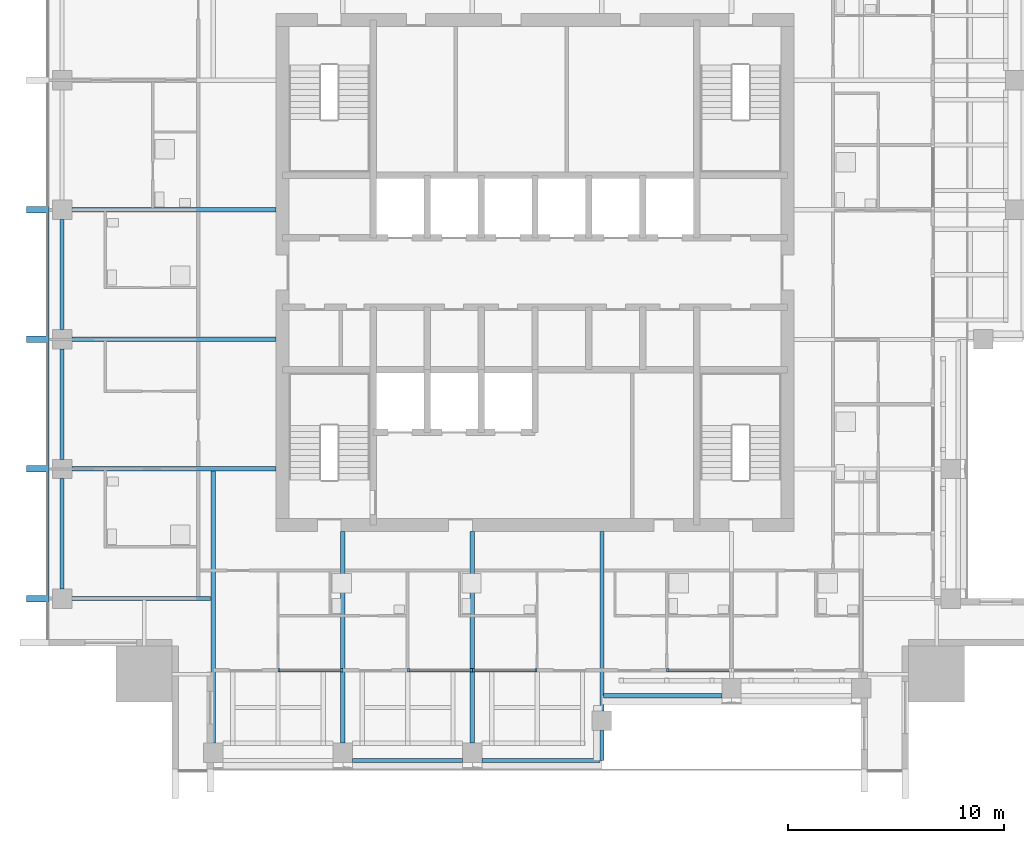
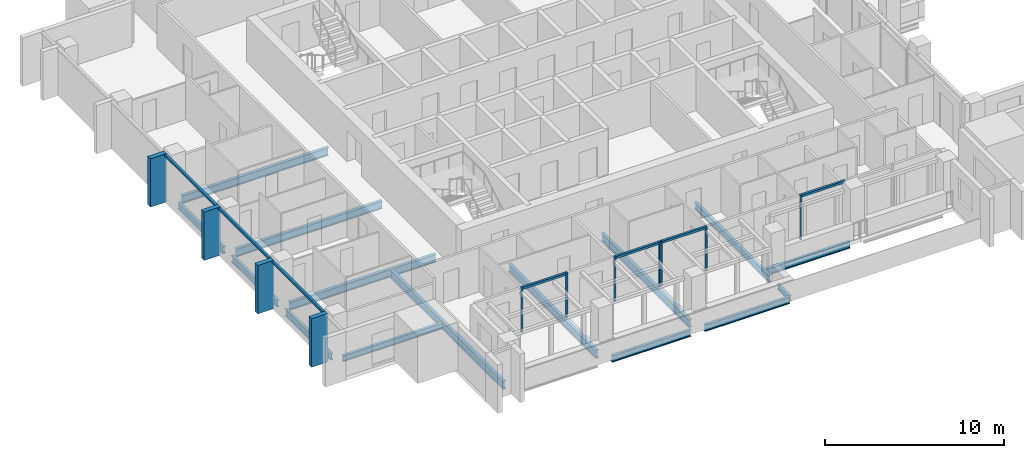
# One storey, part 2 of 17: 18 members, 15 beams, 5 elements without a shape of their own.
"""IFC4 building model written with IfcOpenShell, lengths in metres."""

from ifc_helpers import new_model, si_unit, direction, frame, origin, origin_2d, place, context, subcontext, project, spatial, rectangle, i_section, extrude, material, material_profile, profile_set, type_object, element, aggregate, save


model = new_model("IFC4")

# Units and contexts
model_context = context("Model", 3, precision=1e-05, world=origin(), true_north=direction((0.0, 1.0)))
body_context = subcontext(model_context, "Body", "Model", "MODEL_VIEW")
ifc_project = project(units=[si_unit("LENGTHUNIT", "METRE"), si_unit("AREAUNIT", "SQUARE_METRE"), si_unit("VOLUMEUNIT", "CUBIC_METRE"), si_unit("PLANEANGLEUNIT", "RADIAN"), si_unit("MASSUNIT", "GRAM", prefix="KILO")], contexts=[model_context])

# Site, building, storey
site_placement = place(None, origin())
site = spatial("IfcSite", under=ifc_project, at=site_placement, CompositionType="ELEMENT")
building_placement = place(site_placement, origin())
building = spatial("IfcBuilding", under=site, at=building_placement, Name="Amberfall Residences", CompositionType="ELEMENT")
storey_placement = place(building_placement, frame((0.0, 0.0, 216.699951171875)))
storey = spatial("IfcBuildingStorey", under=building, at=storey_placement, Name="L58", CompositionType="ELEMENT", Elevation=216.699951171875)

# Curtain wall, members
ifc_material_1 = material(Name="Bronze anodised aluminium and glass", Category="aluminium")
curtain_wall_type_1 = type_object("IfcCurtainWallType", Name="Curtain wall CW1 tower unit", PredefinedType="USERDEFINED", material=ifc_material_1)
curtain_wall_1_placement = place(storey_placement, origin())
curtain_wall_1 = element("IfcCurtainWall", 1, at=curtain_wall_1_placement, inside=storey, type_object=curtain_wall_type_1, Name="Curtain wall L58 W W1", ObjectType="UNITISED CURTAIN WALL", PredefinedType="USERDEFINED")
ifc_material_2 = material(Name="Bronze anodised aluminium", Category="aluminium")
ifc_material_profile_1 = material_profile(ifc_material_2, rectangle(XDim=0.14990234375, YDim=0.14990234375, at=origin_2d()), Name="CW1 transom 150 x 150 bronze")
ifc_profile_set_1 = profile_set([ifc_material_profile_1], Name="Bronze anodised aluminium")
member_type_1 = type_object("IfcMemberType", Name="CW1 transom 150 x 150 bronze", PredefinedType="USERDEFINED", material=ifc_profile_set_1)
member_1_placement = place(storey_placement, frame((51.925048828125, 48.25, 2.97509765625), z_axis=(0.0, -1.0, 0.0), x_axis=(1.0, 0.0, 0.0)))
member_1 = element("IfcMember", 2, at=member_1_placement, type_object=member_type_1, Name="CW1 transom 4.1", ObjectType="TRANSOM", PredefinedType="USERDEFINED", context=body_context, shape_type="SweptSolid", body=[
    extrude(rectangle(XDim=0.14990234375, YDim=0.14990234375, at=origin_2d()), origin(), (0.0, 0.0, 1.0), 5.699951171875),
])
member_2_placement = place(storey_placement, frame((51.925048828125, 42.25, 2.97509765625), z_axis=(0.0, -1.0, 0.0), x_axis=(1.0, 0.0, 0.0)))
member_2 = element("IfcMember", 3, at=member_2_placement, type_object=member_type_1, Name="CW1 transom 5.1", ObjectType="TRANSOM", PredefinedType="USERDEFINED", context=body_context, shape_type="SweptSolid", body=[
    extrude(rectangle(XDim=0.14990234375, YDim=0.14990234375, at=origin_2d()), origin(), (0.0, 0.0, 1.0), 5.699951171875),
])
member_3_placement = place(storey_placement, frame((51.925048828125, 36.25, 2.97509765625), z_axis=(0.0, -1.0, 0.0), x_axis=(1.0, 0.0, 0.0)))
member_3 = element("IfcMember", 4, at=member_3_placement, type_object=member_type_1, Name="CW1 transom 6.1", ObjectType="TRANSOM", PredefinedType="USERDEFINED", context=body_context, shape_type="SweptSolid", body=[
    extrude(rectangle(XDim=0.14990234375, YDim=0.14990234375, at=origin_2d()), origin(), (0.0, 0.0, 1.0), 5.699951171875),
])

curtain_wall_type_2 = type_object("IfcCurtainWallType", Name="Curtain wall CW3 sky garden glazing", PredefinedType="USERDEFINED", material=ifc_material_1)
curtain_wall_2_placement = place(storey_placement, origin())
curtain_wall_2 = element("IfcCurtainWall", 5, at=curtain_wall_2_placement, inside=storey, type_object=curtain_wall_type_2, Name="Curtain wall L58 S S3", ObjectType="UNITISED CURTAIN WALL", PredefinedType="USERDEFINED")
ifc_material_profile_2 = material_profile(ifc_material_2, rectangle(XDim=0.14990234375, YDim=0.10009765625, at=origin_2d()), Name="CW3 mullion 100 x 150 bronze")
ifc_profile_set_2 = profile_set([ifc_material_profile_2], Name="Bronze anodised aluminium")
member_type_2 = type_object("IfcMemberType", Name="CW3 mullion 100 x 150 bronze", PredefinedType="MULLION", material=ifc_profile_set_2)
member_4_placement = place(storey_placement, frame((62.64990234375, 27.074951171875, 0.0), z_axis=(0.0, 0.0, 1.0), x_axis=(0.0, 1.0, 0.0)))
member_4 = element("IfcMember", 6, at=member_4_placement, type_object=member_type_2, Name="CW3 mullion 1", PredefinedType="MULLION", context=body_context, shape_type="SweptSolid", body=[
    extrude(rectangle(XDim=0.14990234375, YDim=0.10009765625, at=origin_2d()), origin(), (0.0, 0.0, 1.0), 3.050048828125),
])
member_5_placement = place(storey_placement, frame((65.550048828125, 27.074951171875, 0.0), z_axis=(0.0, 0.0, 1.0), x_axis=(0.0, 1.0, 0.0)))
member_5 = element("IfcMember", 7, at=member_5_placement, type_object=member_type_2, Name="CW3 mullion 2", PredefinedType="MULLION", context=body_context, shape_type="SweptSolid", body=[
    extrude(rectangle(XDim=0.14990234375, YDim=0.10009765625, at=origin_2d()), origin(), (0.0, 0.0, 1.0), 3.050048828125),
])

curtain_wall_3_placement = place(storey_placement, origin())
curtain_wall_3 = element("IfcCurtainWall", 8, at=curtain_wall_3_placement, inside=storey, type_object=curtain_wall_type_2, Name="Curtain wall L58 S S4", ObjectType="UNITISED CURTAIN WALL", PredefinedType="USERDEFINED")
member_6_placement = place(storey_placement, frame((68.64990234375, 27.074951171875, 0.0), z_axis=(0.0, 0.0, 1.0), x_axis=(0.0, 1.0, 0.0)))
member_6 = element("IfcMember", 9, at=member_6_placement, type_object=member_type_2, Name="CW3 mullion 1", PredefinedType="MULLION", context=body_context, shape_type="SweptSolid", body=[
    extrude(rectangle(XDim=0.14990234375, YDim=0.10009765625, at=origin_2d()), origin(), (0.0, 0.0, 1.0), 3.050048828125),
])
member_7_placement = place(storey_placement, frame((71.550048828125, 27.074951171875, 0.0), z_axis=(0.0, 0.0, 1.0), x_axis=(0.0, 1.0, 0.0)))
member_7 = element("IfcMember", 10, at=member_7_placement, type_object=member_type_2, Name="CW3 mullion 2", PredefinedType="MULLION", context=body_context, shape_type="SweptSolid", body=[
    extrude(rectangle(XDim=0.14990234375, YDim=0.10009765625, at=origin_2d()), origin(), (0.0, 0.0, 1.0), 3.050048828125),
])

curtain_wall_4_placement = place(storey_placement, origin())
curtain_wall_4 = element("IfcCurtainWall", 11, at=curtain_wall_4_placement, inside=storey, type_object=curtain_wall_type_2, Name="Curtain wall L58 S S5", ObjectType="UNITISED CURTAIN WALL", PredefinedType="USERDEFINED")
member_8_placement = place(storey_placement, frame((71.64990234375, 27.074951171875, 0.0), z_axis=(0.0, 0.0, 1.0), x_axis=(0.0, 1.0, 0.0)))
member_8 = element("IfcMember", 12, at=member_8_placement, type_object=member_type_2, Name="CW3 mullion 1", PredefinedType="MULLION", context=body_context, shape_type="SweptSolid", body=[
    extrude(rectangle(XDim=0.14990234375, YDim=0.10009765625, at=origin_2d()), origin(), (0.0, 0.0, 1.0), 3.050048828125),
])
member_9_placement = place(storey_placement, frame((74.550048828125, 27.074951171875, 0.0), z_axis=(0.0, 0.0, 1.0), x_axis=(0.0, 1.0, 0.0)))
member_9 = element("IfcMember", 13, at=member_9_placement, type_object=member_type_2, Name="CW3 mullion 2", PredefinedType="MULLION", context=body_context, shape_type="SweptSolid", body=[
    extrude(rectangle(XDim=0.14990234375, YDim=0.10009765625, at=origin_2d()), origin(), (0.0, 0.0, 1.0), 3.050048828125),
])

# Curtain wall, member
curtain_wall_5_placement = place(storey_placement, origin())
curtain_wall_5 = element("IfcCurtainWall", 14, at=curtain_wall_5_placement, inside=storey, type_object=curtain_wall_type_2, Name="Curtain wall L58 S S6", ObjectType="UNITISED CURTAIN WALL", PredefinedType="USERDEFINED")
member_10_placement = place(storey_placement, frame((80.64990234375, 27.074951171875, 0.0), z_axis=(0.0, 0.0, 1.0), x_axis=(0.0, 1.0, 0.0)))
member_10 = element("IfcMember", 15, at=member_10_placement, type_object=member_type_2, Name="CW3 mullion 1", PredefinedType="MULLION", context=body_context, shape_type="SweptSolid", body=[
    extrude(rectangle(XDim=0.14990234375, YDim=0.10009765625, at=origin_2d()), origin(), (0.0, 0.0, 1.0), 3.050048828125),
])

# Member
ifc_material_profile_3 = material_profile(ifc_material_2, rectangle(XDim=0.14990234375, YDim=0.14990234375, at=origin_2d()), Name="CW3 transom 150 x 150 bronze")
ifc_profile_set_3 = profile_set([ifc_material_profile_3], Name="Bronze anodised aluminium")
member_type_3 = type_object("IfcMemberType", Name="CW3 transom 150 x 150 bronze", PredefinedType="USERDEFINED", material=ifc_profile_set_3)
member_11_placement = place(storey_placement, frame((62.699951171875, 27.074951171875, 2.97509765625), z_axis=(1.0, 0.0, 0.0), x_axis=(0.0, 1.0, 0.0)))
member_11 = element("IfcMember", 16, at=member_11_placement, type_object=member_type_3, Name="CW3 transom 1.1", ObjectType="TRANSOM", PredefinedType="USERDEFINED", context=body_context, shape_type="SweptSolid", body=[
    extrude(rectangle(XDim=0.14990234375, YDim=0.14990234375, at=origin_2d()), origin(), (0.0, 0.0, 1.0), 2.800048828125),
])

aggregate(curtain_wall_2, [member_4, member_5, member_11])

member_12_placement = place(storey_placement, frame((68.699951171875, 27.074951171875, 2.97509765625), z_axis=(1.0, 0.0, 0.0), x_axis=(0.0, 1.0, 0.0)))
member_12 = element("IfcMember", 17, at=member_12_placement, type_object=member_type_3, Name="CW3 transom 1.1", ObjectType="TRANSOM", PredefinedType="USERDEFINED", context=body_context, shape_type="SweptSolid", body=[
    extrude(rectangle(XDim=0.14990234375, YDim=0.14990234375, at=origin_2d()), origin(), (0.0, 0.0, 1.0), 2.800048828125),
])

aggregate(curtain_wall_3, [member_6, member_7, member_12])

member_13_placement = place(storey_placement, frame((71.699951171875, 27.074951171875, 2.97509765625), z_axis=(1.0, 0.0, 0.0), x_axis=(0.0, 1.0, 0.0)))
member_13 = element("IfcMember", 18, at=member_13_placement, type_object=member_type_3, Name="CW3 transom 1.1", ObjectType="TRANSOM", PredefinedType="USERDEFINED", context=body_context, shape_type="SweptSolid", body=[
    extrude(rectangle(XDim=0.14990234375, YDim=0.14990234375, at=origin_2d()), origin(), (0.0, 0.0, 1.0), 2.800048828125),
])

aggregate(curtain_wall_4, [member_8, member_9, member_13])

member_14_placement = place(storey_placement, frame((80.699951171875, 27.074951171875, 2.97509765625), z_axis=(1.0, 0.0, 0.0), x_axis=(0.0, 1.0, 0.0)))
member_14 = element("IfcMember", 19, at=member_14_placement, type_object=member_type_3, Name="CW3 transom 1.1", ObjectType="TRANSOM", PredefinedType="USERDEFINED", context=body_context, shape_type="SweptSolid", body=[
    extrude(rectangle(XDim=0.14990234375, YDim=0.14990234375, at=origin_2d()), origin(), (0.0, 0.0, 1.0), 2.800048828125),
])

aggregate(curtain_wall_5, [member_10, member_14])

# Beams
ifc_material_3 = material(Name="Steel S355", Category="steel")
ifc_material_profile_4 = material_profile(ifc_material_3, i_section(OverallWidth=0.171142578125, OverallDepth=0.351318359375, WebThickness=0.007080078125, FlangeThickness=0.009765625, FilletRadius=0.01025390625, at=origin_2d()), Name="UB 356x171x45")
ifc_profile_set_4 = profile_set([ifc_material_profile_4], Name="Steel S355")
beam_type_1 = type_object("IfcBeamType", Name="Cantilever girder UB 356x171x45", PredefinedType="BEAM", material=ifc_profile_set_4)
beam_1_placement = place(storey_placement, frame((77.60009765625, 24.300048828125, -0.425537109375), z_axis=(0.0, -1.0, 0.0), x_axis=(1.0, 0.0, 0.0)))
element("IfcBeam", 20, at=beam_1_placement, inside=storey, type_object=beam_type_1, Name="Cantilever girder B8 L58 06", PredefinedType="BEAM", context=body_context, shape_type="SweptSolid", body=[
    extrude(i_section(OverallWidth=0.171142578125, OverallDepth=0.351318359375, WebThickness=0.007080078125, FlangeThickness=0.009765625, FilletRadius=0.01025390625, at=origin_2d()), origin(), (0.0, 0.0, 1.0), 1.400146484375),
])
ifc_material_profile_5 = material_profile(ifc_material_3, i_section(OverallWidth=0.18994140625, OverallDepth=0.453369140625, WebThickness=0.008544921875, FlangeThickness=0.0126953125, FilletRadius=0.01025390625, at=origin_2d()), Name="UB 457x191x67")
ifc_profile_set_5 = profile_set([ifc_material_profile_5], Name="Steel S355")
beam_type_2 = type_object("IfcBeamType", Name="Edge beam UB 457x191x67", PredefinedType="SPANDREL", material=ifc_profile_set_5)
beam_2_placement = place(storey_placement, frame((66.050048828125, 22.89990234375, -0.4765625), z_axis=(1.0, 0.0, 0.0), x_axis=(0.0, 1.0, 0.0)))
element("IfcBeam", 21, at=beam_2_placement, inside=storey, type_object=beam_type_2, Name="Edge beam B1 L58 02", PredefinedType="SPANDREL", context=body_context, shape_type="SweptSolid", body=[
    extrude(i_section(OverallWidth=0.18994140625, OverallDepth=0.453369140625, WebThickness=0.008544921875, FlangeThickness=0.0126953125, FilletRadius=0.01025390625, at=origin_2d()), origin(), (0.0, 0.0, 1.0), 5.099853515625),
])
for number, where, z_axis, x_axis, name in (
    (22, (72.050048828125, 22.89990234375, -0.4765625), (1.0, 0.0, 0.0), (0.0, 1.0, 0.0), "Edge beam B1 L58 03"),
    (23, (77.679931640625, 25.89990234375, -0.4765625), (1.0, 0.0, 0.0), (0.0, 1.0, 0.0), "Edge beam B1 L58 04"),
):
    element("IfcBeam", number, at=place(storey_placement, frame(where, z_axis=z_axis, x_axis=x_axis)), inside=storey, type_object=beam_type_2, Name=name, PredefinedType="SPANDREL", context=body_context, shape_type="SweptSolid", body=[
        extrude(i_section(OverallWidth=0.18994140625, OverallDepth=0.453369140625, WebThickness=0.008544921875, FlangeThickness=0.0126953125, FilletRadius=0.01025390625, at=origin_2d()), origin(), (0.0, 0.0, 1.0), 5.469970703125),
    ])
for number, where, z_axis, x_axis, name in (
    (24, (52.60009765625, 30.85009765625, -0.4765625), (0.0, 1.0, 0.0), (-1.0, 0.0, 0.0), "Edge beam B1 L58 36"),
    (25, (52.60009765625, 36.85009765625, -0.4765625), (0.0, 1.0, 0.0), (-1.0, 0.0, 0.0), "Edge beam B1 L58 37"),
    (26, (52.60009765625, 42.85009765625, -0.4765625), (0.0, 1.0, 0.0), (-1.0, 0.0, 0.0), "Edge beam B1 L58 38"),
):
    element("IfcBeam", number, at=place(storey_placement, frame(where, z_axis=z_axis, x_axis=x_axis)), inside=storey, type_object=beam_type_2, Name=name, PredefinedType="SPANDREL", context=body_context, shape_type="SweptSolid", body=[
        extrude(i_section(OverallWidth=0.18994140625, OverallDepth=0.453369140625, WebThickness=0.008544921875, FlangeThickness=0.0126953125, FilletRadius=0.01025390625, at=origin_2d()), origin(), (0.0, 0.0, 1.0), 5.099853515625),
    ])

# Member
ifc_material_profile_6 = material_profile(ifc_material_2, rectangle(XDim=1.050048828125, YDim=0.300048828125, at=origin_2d()), Name="Fin 300 x 1050 bronze")
ifc_profile_set_6 = profile_set([ifc_material_profile_6], Name="Bronze anodised aluminium")
member_type_4 = type_object("IfcMemberType", Name="Fin 300 x 1050 bronze", PredefinedType="MULLION", material=ifc_profile_set_6)
member_15_placement = place(storey_placement, frame((51.47509765625, 48.39990234375, -0.25), z_axis=(0.0, 0.0, 1.0), x_axis=(1.0, 0.0, 0.0)))
member_15 = element("IfcMember", 27, at=member_15_placement, type_object=member_type_4, Name="CW FIN 4", PredefinedType="MULLION", context=body_context, shape_type="SweptSolid", body=[
    extrude(rectangle(XDim=1.050048828125, YDim=0.300048828125, at=origin_2d()), origin(), (0.0, 0.0, 1.0), 3.300048828125),
])

member_16_placement = place(storey_placement, frame((51.47509765625, 42.39990234375, -0.25), z_axis=(0.0, 0.0, 1.0), x_axis=(1.0, 0.0, 0.0)))
member_16 = element("IfcMember", 28, at=member_16_placement, type_object=member_type_4, Name="CW FIN 5", PredefinedType="MULLION", context=body_context, shape_type="SweptSolid", body=[
    extrude(rectangle(XDim=1.050048828125, YDim=0.300048828125, at=origin_2d()), origin(), (0.0, 0.0, 1.0), 3.300048828125),
])

member_17_placement = place(storey_placement, frame((51.47509765625, 36.39990234375, -0.25), z_axis=(0.0, 0.0, 1.0), x_axis=(1.0, 0.0, 0.0)))
member_17 = element("IfcMember", 29, at=member_17_placement, type_object=member_type_4, Name="CW FIN 6", PredefinedType="MULLION", context=body_context, shape_type="SweptSolid", body=[
    extrude(rectangle(XDim=1.050048828125, YDim=0.300048828125, at=origin_2d()), origin(), (0.0, 0.0, 1.0), 3.300048828125),
])

member_18_placement = place(storey_placement, frame((51.47509765625, 30.39990234375, -0.25), z_axis=(0.0, 0.0, 1.0), x_axis=(1.0, 0.0, 0.0)))
member_18 = element("IfcMember", 30, at=member_18_placement, type_object=member_type_4, Name="CW FIN 7", PredefinedType="MULLION", context=body_context, shape_type="SweptSolid", body=[
    extrude(rectangle(XDim=1.050048828125, YDim=0.300048828125, at=origin_2d()), origin(), (0.0, 0.0, 1.0), 3.300048828125),
])

aggregate(curtain_wall_1, [member_15, member_16, member_17, member_18, member_1, member_2, member_3])

# Beams
ifc_material_profile_7 = material_profile(ifc_material_3, i_section(OverallWidth=0.177734375, OverallDepth=0.402587890625, WebThickness=0.0078125, FlangeThickness=0.010986328125, FilletRadius=0.01025390625, at=origin_2d()), Name="UB 406x178x54")
ifc_profile_set_7 = profile_set([ifc_material_profile_7], Name="Steel S355")
beam_type_3 = type_object("IfcBeamType", Name="Floor girder UB 406x178x54", PredefinedType="BEAM", material=ifc_profile_set_7)
beam_3_placement = place(storey_placement, frame((53.050048828125, 30.39990234375, -0.451171875), z_axis=(1.0, 0.0, 0.0), x_axis=(0.0, 1.0, 0.0)))
element("IfcBeam", 31, at=beam_3_placement, inside=storey, type_object=beam_type_3, Name="Floor girder B4 L58 41", PredefinedType="BEAM", context=body_context, shape_type="SweptSolid", body=[
    extrude(i_section(OverallWidth=0.177734375, OverallDepth=0.402587890625, WebThickness=0.0078125, FlangeThickness=0.010986328125, FilletRadius=0.01025390625, at=origin_2d()), origin(), (0.0, 0.0, 1.0), 6.429931640625),
])
ifc_material_profile_8 = material_profile(ifc_material_3, i_section(OverallWidth=0.19140625, OverallDepth=0.4599609375, WebThickness=0.010009765625, FlangeThickness=0.01611328125, FilletRadius=0.01025390625, at=origin_2d()), Name="UB 457x191x82")
ifc_profile_set_8 = profile_set([ifc_material_profile_8], Name="Steel S355")
beam_type_4 = type_object("IfcBeamType", Name="Floor girder UB 457x191x82", PredefinedType="BEAM", material=ifc_profile_set_8)
beam_4_placement = place(storey_placement, frame((77.60009765625, 25.199951171875, -0.47998046875), z_axis=(0.0, 1.0, 0.0), x_axis=(-1.0, 0.0, 0.0)))
element("IfcBeam", 32, at=beam_4_placement, inside=storey, type_object=beam_type_4, Name="Floor girder B10 L58 10", PredefinedType="BEAM", context=body_context, shape_type="SweptSolid", body=[
    extrude(i_section(OverallWidth=0.19140625, OverallDepth=0.4599609375, WebThickness=0.010009765625, FlangeThickness=0.01611328125, FilletRadius=0.01025390625, at=origin_2d()), origin(), (0.0, 0.0, 1.0), 8.300048828125),
])
ifc_material_profile_9 = material_profile(ifc_material_3, i_section(OverallWidth=0.210693359375, OverallDepth=0.53955078125, WebThickness=0.01171875, FlangeThickness=0.018798828125, FilletRadius=0.0126953125, at=origin_2d()), Name="UB 533x210x109")
ifc_profile_set_9 = profile_set([ifc_material_profile_9], Name="Steel S355")
beam_type_5 = type_object("IfcBeamType", Name="Floor girder UB 533x210x109", PredefinedType="BEAM", material=ifc_profile_set_9)
beam_5_placement = place(storey_placement, frame((59.60009765625, 23.699951171875, -0.519775390625), z_axis=(0.0, 1.0, 0.0), x_axis=(-1.0, 0.0, 0.0)))
element("IfcBeam", 33, at=beam_5_placement, inside=storey, type_object=beam_type_5, Name="Floor girder B2 L58 07", PredefinedType="BEAM", context=body_context, shape_type="SweptSolid", body=[
    extrude(i_section(OverallWidth=0.210693359375, OverallDepth=0.53955078125, WebThickness=0.01171875, FlangeThickness=0.018798828125, FilletRadius=0.0126953125, at=origin_2d()), origin(), (0.0, 0.0, 1.0), 12.600341796875),
])
ifc_material_profile_10 = material_profile(ifc_material_3, i_section(OverallWidth=0.209228515625, OverallDepth=0.533203125, WebThickness=0.010009765625, FlangeThickness=0.015625, FilletRadius=0.0126953125, at=origin_2d()), Name="UB 533x210x92")
ifc_profile_set_10 = profile_set([ifc_material_profile_10], Name="Steel S355")
beam_type_6 = type_object("IfcBeamType", Name="Floor girder UB 533x210x92", PredefinedType="BEAM", material=ifc_profile_set_10)
for number, where, z_axis, x_axis, name in (
    (34, (65.60009765625, 23.699951171875, -0.5166015625), (0.0, 1.0, 0.0), (-1.0, 0.0, 0.0), "Floor girder B3 L58 08"),
    (35, (71.60009765625, 23.699951171875, -0.5166015625), (0.0, 1.0, 0.0), (-1.0, 0.0, 0.0), "Floor girder B3 L58 09"),
):
    element("IfcBeam", number, at=place(storey_placement, frame(where, z_axis=z_axis, x_axis=x_axis)), inside=storey, type_object=beam_type_6, Name=name, PredefinedType="BEAM", context=body_context, shape_type="SweptSolid", body=[
        extrude(i_section(OverallWidth=0.209228515625, OverallDepth=0.533203125, WebThickness=0.010009765625, FlangeThickness=0.015625, FilletRadius=0.0126953125, at=origin_2d()), origin(), (0.0, 0.0, 1.0), 9.800048828125),
    ])
for number, where, z_axis, x_axis, name in (
    (36, (53.050048828125, 36.39990234375, -0.5166015625), (1.0, 0.0, 0.0), (0.0, 1.0, 0.0), "Floor girder B3 L58 42"),
    (37, (53.050048828125, 42.39990234375, -0.5166015625), (1.0, 0.0, 0.0), (0.0, 1.0, 0.0), "Floor girder B3 L58 43"),
    (38, (53.050048828125, 48.39990234375, -0.5166015625), (1.0, 0.0, 0.0), (0.0, 1.0, 0.0), "Floor girder B3 L58 44"),
):
    element("IfcBeam", number, at=place(storey_placement, frame(where, z_axis=z_axis, x_axis=x_axis)), inside=storey, type_object=beam_type_6, Name=name, PredefinedType="BEAM", context=body_context, shape_type="SweptSolid", body=[
        extrude(i_section(OverallWidth=0.209228515625, OverallDepth=0.533203125, WebThickness=0.010009765625, FlangeThickness=0.015625, FilletRadius=0.0126953125, at=origin_2d()), origin(), (0.0, 0.0, 1.0), 9.449951171875),
    ])

save(model, "model.ifc")
